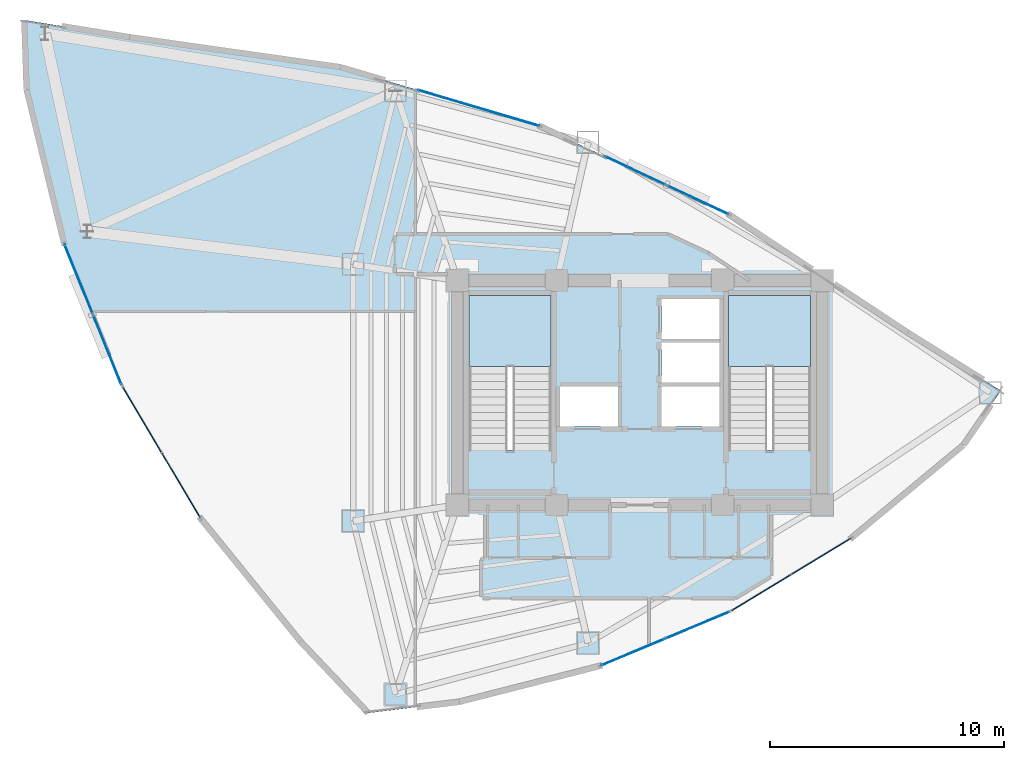
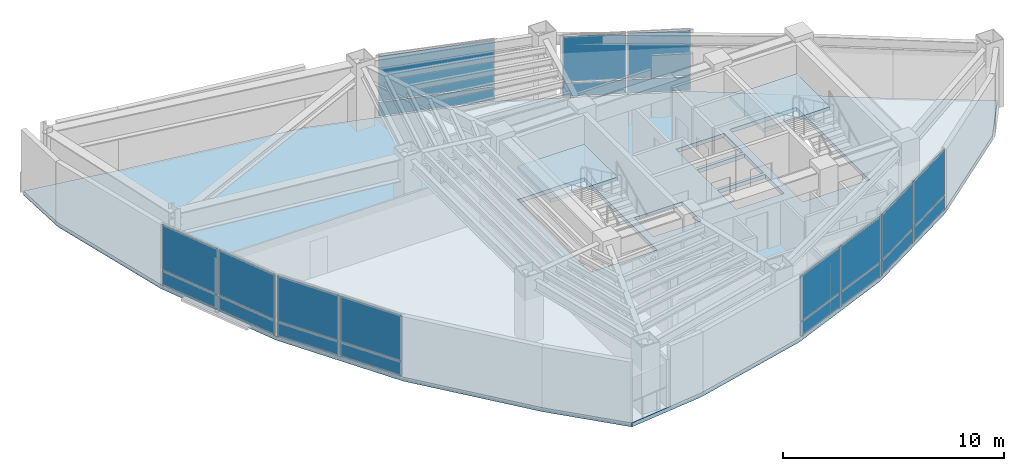
# One storey, part 11 of 16: 22 plates, 3 slabs, 8 elements without a shape of their own.
"""IFC4 building model written with IfcOpenShell, lengths in metres."""

from ifc_helpers import new_model, si_unit, direction, frame, origin, origin_2d, place, context, subcontext, project, spatial, polyline, rectangle, outline, extrude, material, layer, layer_set, type_object, element, aggregate, save


model = new_model("IFC4")

# Units and contexts
model_context = context("Model", 3, precision=1e-05, world=origin(), true_north=direction((0.0, 1.0)))
body_context = subcontext(model_context, "Body", "Model", "MODEL_VIEW")
ifc_project = project(units=[si_unit("LENGTHUNIT", "METRE"), si_unit("AREAUNIT", "SQUARE_METRE"), si_unit("VOLUMEUNIT", "CUBIC_METRE"), si_unit("PLANEANGLEUNIT", "RADIAN"), si_unit("MASSUNIT", "GRAM", prefix="KILO")], contexts=[model_context])

# Site, building, storey
site_placement = place(None, origin())
site = spatial("IfcSite", under=ifc_project, at=site_placement, CompositionType="ELEMENT")
building_placement = place(site_placement, origin())
building = spatial("IfcBuilding", under=site, at=building_placement, Name="Menara Vayukalpa", CompositionType="ELEMENT")
storey_placement = place(building_placement, frame((0.0, 0.0, 202.679931640625)))
storey = spatial("IfcBuildingStorey", under=building, at=storey_placement, Name="L51", CompositionType="ELEMENT", Elevation=202.679931640625)

# Curtain wall, plates
ifc_material_1 = material(Name="Anodised Terracotta Aluminium Alloy 6063-T6", Category="masonry")
ifc_layer_1 = layer(ifc_material_1, 0.179931640625)
ifc_layer_set_1 = layer_set([ifc_layer_1], Name="Anodised Terracotta Aluminium Alloy 6063-T6")
curtain_wall_type = type_object("IfcCurtainWallType", Name="CW-CW4", PredefinedType="USERDEFINED", material=ifc_layer_set_1)
curtain_wall_1_placement = place(storey_placement, origin())
curtain_wall_1 = element("IfcCurtainWall", 1, at=curtain_wall_1_placement, inside=storey, type_object=curtain_wall_type, Name="L51 Sky Bar Cantilever Glazed Curtain Wall CW4 05", ObjectType="UNITISED", PredefinedType="USERDEFINED")
ifc_material_2 = material(Name="Low-E Double Glazing", Category="glass")
ifc_layer_2 = layer(ifc_material_2, 0.0380859375)
ifc_layer_set_2 = layer_set([ifc_layer_2], Name="Low-E Double Glazing")
plate_type = type_object("IfcPlateType", Name="CWP-CW4", PredefinedType="CURTAIN_PANEL", material=ifc_layer_set_2)
plate_1_placement = place(storey_placement, frame((28.0751953125, 30.24462890625, 0.070068359375), z_axis=(0.0, 0.0, 1.0), x_axis=(-0.90578213551, 0.423743699648, 0.0)))
plate_1 = element("IfcPlate", 2, at=plate_1_placement, type_object=plate_type, Name="CW4 panel 1.1", PredefinedType="CURTAIN_PANEL", context=body_context, shape_type="SweptSolid", body=[
    extrude(rectangle(XDim=2.868896484375, YDim=0.0380859375, at=origin_2d()), origin(), (0.0, 0.0, 1.0), 0.7451171875),
])
plate_2_placement = place(storey_placement, frame((28.0751953125, 30.24462890625, 0.88525390625), z_axis=(0.0, 0.0, 1.0), x_axis=(-0.90578213551, 0.423743699648, 0.0)))
plate_2 = element("IfcPlate", 3, at=plate_2_placement, type_object=plate_type, Name="CW4 panel 1.2", PredefinedType="CURTAIN_PANEL", context=body_context, shape_type="SweptSolid", body=[
    extrude(rectangle(XDim=2.868896484375, YDim=0.0380859375, at=origin_2d()), origin(), (0.0, 0.0, 1.0), 2.485107421875),
])
plate_3_placement = place(storey_placement, frame((25.40869140625, 31.4921875, 0.070068359375), z_axis=(0.0, 0.0, 1.0), x_axis=(-0.90578213551, 0.423743699648, 0.0)))
plate_3 = element("IfcPlate", 4, at=plate_3_placement, type_object=plate_type, Name="CW4 panel 2.1", PredefinedType="CURTAIN_PANEL", context=body_context, shape_type="SweptSolid", body=[
    extrude(rectangle(XDim=2.868896484375, YDim=0.0380859375, at=origin_2d()), origin(), (0.0, 0.0, 1.0), 0.7451171875),
])
plate_4_placement = place(storey_placement, frame((25.40869140625, 31.4921875, 0.88525390625), z_axis=(0.0, 0.0, 1.0), x_axis=(-0.90578213551, 0.423743699648, 0.0)))
plate_4 = element("IfcPlate", 5, at=plate_4_placement, type_object=plate_type, Name="CW4 panel 2.2", PredefinedType="CURTAIN_PANEL", context=body_context, shape_type="SweptSolid", body=[
    extrude(rectangle(XDim=2.868896484375, YDim=0.0380859375, at=origin_2d()), origin(), (0.0, 0.0, 1.0), 2.485107421875),
])
aggregate(curtain_wall_1, [plate_1, plate_2, plate_3, plate_4])

curtain_wall_2_placement = place(storey_placement, origin())
curtain_wall_2 = element("IfcCurtainWall", 6, at=curtain_wall_2_placement, inside=storey, type_object=curtain_wall_type, Name="L51 Sky Bar Cantilever Glazed Curtain Wall CW4 07", ObjectType="UNITISED", PredefinedType="USERDEFINED")
plate_5_placement = place(storey_placement, frame((18.702880859375, 34.17236328125, 0.070068359375), z_axis=(0.0, 0.0, 1.0), x_axis=(-0.958855725645, 0.283893813595, 0.0)))
plate_5 = element("IfcPlate", 7, at=plate_5_placement, type_object=plate_type, Name="CW4 panel 1.1", PredefinedType="CURTAIN_PANEL", context=body_context, shape_type="SweptSolid", body=[
    extrude(rectangle(XDim=5.39892578125, YDim=0.0380859375, at=origin_2d()), origin(), (0.0, 0.0, 1.0), 0.7451171875),
])
plate_6_placement = place(storey_placement, frame((18.702880859375, 34.17236328125, 0.88525390625), z_axis=(0.0, 0.0, 1.0), x_axis=(-0.958855725645, 0.283893813595, 0.0)))
plate_6 = element("IfcPlate", 8, at=plate_6_placement, type_object=plate_type, Name="CW4 panel 1.2", PredefinedType="CURTAIN_PANEL", context=body_context, shape_type="SweptSolid", body=[
    extrude(rectangle(XDim=5.39892578125, YDim=0.0380859375, at=origin_2d()), origin(), (0.0, 0.0, 1.0), 2.485107421875),
])
aggregate(curtain_wall_2, [plate_5, plate_6])

curtain_wall_3_placement = place(storey_placement, origin())
curtain_wall_3 = element("IfcCurtainWall", 9, at=curtain_wall_3_placement, inside=storey, type_object=curtain_wall_type, Name="L51 Sky Bar Cantilever Glazed Curtain Wall CW4 13", ObjectType="UNITISED", PredefinedType="USERDEFINED")
plate_7_placement = place(storey_placement, frame((1.60888671875, 26.853271484375, 0.070068359375), z_axis=(0.0, 0.0, 1.0), x_axis=(0.376092351793, -0.926582183577, 0.0)))
plate_7 = element("IfcPlate", 10, at=plate_7_placement, type_object=plate_type, Name="CW4 panel 1.1", PredefinedType="CURTAIN_PANEL", context=body_context, shape_type="SweptSolid", body=[
    extrude(rectangle(XDim=3.18994140625, YDim=0.0380859375, at=origin_2d()), origin(), (0.0, 0.0, 1.0), 0.7451171875),
])
plate_8_placement = place(storey_placement, frame((1.60888671875, 26.853271484375, 0.88525390625), z_axis=(0.0, 0.0, 1.0), x_axis=(0.376092351793, -0.926582183577, 0.0)))
plate_8 = element("IfcPlate", 11, at=plate_8_placement, type_object=plate_type, Name="CW4 panel 1.2", PredefinedType="CURTAIN_PANEL", context=body_context, shape_type="SweptSolid", body=[
    extrude(rectangle(XDim=3.18994140625, YDim=0.0380859375, at=origin_2d()), origin(), (0.0, 0.0, 1.0), 2.485107421875),
])
plate_9_placement = place(storey_placement, frame((2.8369140625, 23.827880859375, 0.070068359375), z_axis=(0.0, 0.0, 1.0), x_axis=(0.376092351793, -0.926582183577, 0.0)))
plate_9 = element("IfcPlate", 12, at=plate_9_placement, type_object=plate_type, Name="CW4 panel 2.1", PredefinedType="CURTAIN_PANEL", context=body_context, shape_type="SweptSolid", body=[
    extrude(rectangle(XDim=3.18994140625, YDim=0.0380859375, at=origin_2d()), origin(), (0.0, 0.0, 1.0), 0.7451171875),
])
plate_10_placement = place(storey_placement, frame((2.8369140625, 23.827880859375, 0.88525390625), z_axis=(0.0, 0.0, 1.0), x_axis=(0.376092351793, -0.926582183577, 0.0)))
plate_10 = element("IfcPlate", 13, at=plate_10_placement, type_object=plate_type, Name="CW4 panel 2.2", PredefinedType="CURTAIN_PANEL", context=body_context, shape_type="SweptSolid", body=[
    extrude(rectangle(XDim=3.18994140625, YDim=0.0380859375, at=origin_2d()), origin(), (0.0, 0.0, 1.0), 2.485107421875),
])
aggregate(curtain_wall_3, [plate_7, plate_8, plate_9, plate_10])

curtain_wall_4_placement = place(storey_placement, origin())
curtain_wall_4 = element("IfcCurtainWall", 14, at=curtain_wall_4_placement, inside=storey, type_object=curtain_wall_type, Name="L51 Sky Bar Cantilever Glazed Curtain Wall CW4 14", ObjectType="UNITISED", PredefinedType="USERDEFINED")
plate_11_placement = place(storey_placement, frame((4.31689453125, 20.84423828125, 0.070068359375), z_axis=(0.0, 0.0, 1.0), x_axis=(0.510091625634, -0.86012006921, 0.0)))
plate_11 = element("IfcPlate", 15, at=plate_11_placement, type_object=plate_type, Name="CW4 panel 1.1", PredefinedType="CURTAIN_PANEL", context=body_context, shape_type="SweptSolid", body=[
    extrude(rectangle(XDim=3.18994140625, YDim=0.0380859375, at=origin_2d()), origin(), (0.0, 0.0, 1.0), 0.7451171875),
])
plate_12_placement = place(storey_placement, frame((4.31689453125, 20.84423828125, 0.88525390625), z_axis=(0.0, 0.0, 1.0), x_axis=(0.510091625634, -0.86012006921, 0.0)))
plate_12 = element("IfcPlate", 16, at=plate_12_placement, type_object=plate_type, Name="CW4 panel 1.2", PredefinedType="CURTAIN_PANEL", context=body_context, shape_type="SweptSolid", body=[
    extrude(rectangle(XDim=3.18994140625, YDim=0.0380859375, at=origin_2d()), origin(), (0.0, 0.0, 1.0), 2.485107421875),
])
plate_13_placement = place(storey_placement, frame((5.982177734375, 18.035888671875, 0.070068359375), z_axis=(0.0, 0.0, 1.0), x_axis=(0.510091625634, -0.86012006921, 0.0)))
plate_13 = element("IfcPlate", 17, at=plate_13_placement, type_object=plate_type, Name="CW4 panel 2.1", PredefinedType="CURTAIN_PANEL", context=body_context, shape_type="SweptSolid", body=[
    extrude(rectangle(XDim=3.18994140625, YDim=0.0380859375, at=origin_2d()), origin(), (0.0, 0.0, 1.0), 0.7451171875),
])
plate_14_placement = place(storey_placement, frame((5.982177734375, 18.035888671875, 0.88525390625), z_axis=(0.0, 0.0, 1.0), x_axis=(0.510091625634, -0.86012006921, 0.0)))
plate_14 = element("IfcPlate", 18, at=plate_14_placement, type_object=plate_type, Name="CW4 panel 2.2", PredefinedType="CURTAIN_PANEL", context=body_context, shape_type="SweptSolid", body=[
    extrude(rectangle(XDim=3.18994140625, YDim=0.0380859375, at=origin_2d()), origin(), (0.0, 0.0, 1.0), 2.485107421875),
])
aggregate(curtain_wall_4, [plate_11, plate_12, plate_13, plate_14])

curtain_wall_5_placement = place(storey_placement, origin())
curtain_wall_5 = element("IfcCurtainWall", 19, at=curtain_wall_5_placement, inside=storey, type_object=curtain_wall_type, Name="L51 Sky Bar Cantilever Glazed Curtain Wall CW4 19", ObjectType="UNITISED", PredefinedType="USERDEFINED")
plate_15_placement = place(storey_placement, frame((25.3046875, 10.90380859375, 0.070068359375), z_axis=(0.0, 0.0, 1.0), x_axis=(0.922539431351, 0.385902834406, 0.0)))
plate_15 = element("IfcPlate", 20, at=plate_15_placement, type_object=plate_type, Name="CW4 panel 1.1", PredefinedType="CURTAIN_PANEL", context=body_context, shape_type="SweptSolid", body=[
    extrude(rectangle(XDim=2.919921875, YDim=0.0380859375, at=origin_2d()), origin(), (0.0, 0.0, 1.0), 0.7451171875),
])
plate_16_placement = place(storey_placement, frame((25.3046875, 10.90380859375, 0.88525390625), z_axis=(0.0, 0.0, 1.0), x_axis=(0.922539431351, 0.385902834406, 0.0)))
plate_16 = element("IfcPlate", 21, at=plate_16_placement, type_object=plate_type, Name="CW4 panel 1.2", PredefinedType="CURTAIN_PANEL", context=body_context, shape_type="SweptSolid", body=[
    extrude(rectangle(XDim=2.919921875, YDim=0.0380859375, at=origin_2d()), origin(), (0.0, 0.0, 1.0), 2.485107421875),
])
plate_17_placement = place(storey_placement, frame((28.067626953125, 12.0595703125, 0.070068359375), z_axis=(0.0, 0.0, 1.0), x_axis=(0.922539431351, 0.385902834406, 0.0)))
plate_17 = element("IfcPlate", 22, at=plate_17_placement, type_object=plate_type, Name="CW4 panel 2.1", PredefinedType="CURTAIN_PANEL", context=body_context, shape_type="SweptSolid", body=[
    extrude(rectangle(XDim=2.919921875, YDim=0.0380859375, at=origin_2d()), origin(), (0.0, 0.0, 1.0), 0.7451171875),
])
plate_18_placement = place(storey_placement, frame((28.067626953125, 12.0595703125, 0.88525390625), z_axis=(0.0, 0.0, 1.0), x_axis=(0.922539431351, 0.385902834406, 0.0)))
plate_18 = element("IfcPlate", 23, at=plate_18_placement, type_object=plate_type, Name="CW4 panel 2.2", PredefinedType="CURTAIN_PANEL", context=body_context, shape_type="SweptSolid", body=[
    extrude(rectangle(XDim=2.919921875, YDim=0.0380859375, at=origin_2d()), origin(), (0.0, 0.0, 1.0), 2.485107421875),
])
aggregate(curtain_wall_5, [plate_15, plate_16, plate_17, plate_18])

curtain_wall_6_placement = place(storey_placement, origin())
curtain_wall_6 = element("IfcCurtainWall", 24, at=curtain_wall_6_placement, inside=storey, type_object=curtain_wall_type, Name="L51 Sky Bar Cantilever Glazed Curtain Wall CW4 20", ObjectType="UNITISED", PredefinedType="USERDEFINED")
plate_19_placement = place(storey_placement, frame((30.795654296875, 13.44873046875, 0.070068359375), z_axis=(0.0, 0.0, 1.0), x_axis=(0.854664974832, 0.519179911779, 0.0)))
plate_19 = element("IfcPlate", 25, at=plate_19_placement, type_object=plate_type, Name="CW4 panel 1.1", PredefinedType="CURTAIN_PANEL", context=body_context, shape_type="SweptSolid", body=[
    extrude(rectangle(XDim=2.919921875, YDim=0.0380859375, at=origin_2d()), origin(), (0.0, 0.0, 1.0), 0.7451171875),
])
plate_20_placement = place(storey_placement, frame((30.795654296875, 13.44873046875, 0.88525390625), z_axis=(0.0, 0.0, 1.0), x_axis=(0.854664974832, 0.519179911779, 0.0)))
plate_20 = element("IfcPlate", 26, at=plate_20_placement, type_object=plate_type, Name="CW4 panel 1.2", PredefinedType="CURTAIN_PANEL", context=body_context, shape_type="SweptSolid", body=[
    extrude(rectangle(XDim=2.919921875, YDim=0.0380859375, at=origin_2d()), origin(), (0.0, 0.0, 1.0), 2.485107421875),
])
plate_21_placement = place(storey_placement, frame((33.35546875, 15.003662109375, 0.070068359375), z_axis=(0.0, 0.0, 1.0), x_axis=(0.854664974832, 0.519179911779, 0.0)))
plate_21 = element("IfcPlate", 27, at=plate_21_placement, type_object=plate_type, Name="CW4 panel 2.1", PredefinedType="CURTAIN_PANEL", context=body_context, shape_type="SweptSolid", body=[
    extrude(rectangle(XDim=2.919921875, YDim=0.0380859375, at=origin_2d()), origin(), (0.0, 0.0, 1.0), 0.7451171875),
])
plate_22_placement = place(storey_placement, frame((33.35546875, 15.003662109375, 0.88525390625), z_axis=(0.0, 0.0, 1.0), x_axis=(0.854664974832, 0.519179911779, 0.0)))
plate_22 = element("IfcPlate", 28, at=plate_22_placement, type_object=plate_type, Name="CW4 panel 2.2", PredefinedType="CURTAIN_PANEL", context=body_context, shape_type="SweptSolid", body=[
    extrude(rectangle(XDim=2.919921875, YDim=0.0380859375, at=origin_2d()), origin(), (0.0, 0.0, 1.0), 2.485107421875),
])
aggregate(curtain_wall_6, [plate_19, plate_20, plate_21, plate_22])

# Slab
ifc_material_3 = material(Name="Concrete C40/50", Category="concrete")
ifc_layer_3 = layer(ifc_material_3, 0.219970703125)
ifc_layer_set_3 = layer_set([ifc_layer_3], Name="Concrete C40/50")
slab_type_1 = type_object("IfcSlabType", Name="SLB-FL220", PredefinedType="FLOOR", material=ifc_layer_set_3)
slab_1_placement = place(storey_placement, frame((0.0, 0.0, -0.219970703125)))
element("IfcSlab", 29, at=slab_1_placement, inside=storey, type_object=slab_type_1, Name="L51 Sky Bar Structural Floor Slab", PredefinedType="FLOOR", context=body_context, shape_type="SweptSolid", body=[
    extrude(outline(polyline([(39.439208984375, 19.7578125), (41.042724609375, 22.083984375), (37.04833984375, 24.578125), (29.4423828125, 29.60498046875), (21.36328125, 33.384765625), (12.810546875, 35.9169921875), (3.784423828125, 37.201904296875), (-0.712890625, 37.930419921875), (-0.6181640625, 34.959716796875), (0.98095703125, 28.400634765625), (3.465087890625, 22.280517578125), (6.833984375, 16.599609375), (11.08837890625, 11.357421875), (13.982177734375, 8.302978515625), (17.881591796875, 8.779296875), (23.888671875, 10.311279296875), (29.48388671875, 12.65185546875), (34.667236328125, 15.80078125), (39.439208984375, 19.7578125)]), holes=[polyline([(21.800048828125, 19.550048828125), (21.800048828125, 26.14990234375), (18.300048828125, 26.14990234375), (18.300048828125, 19.550048828125), (21.800048828125, 19.550048828125)]), polyline([(32.89990234375, 19.550048828125), (32.89990234375, 26.14990234375), (29.39990234375, 26.14990234375), (29.39990234375, 19.550048828125), (32.89990234375, 19.550048828125)]), polyline([(22.179931640625, 20.550048828125), (24.679931640625, 20.550048828125), (24.679931640625, 22.27001953125), (22.179931640625, 22.27001953125), (22.179931640625, 20.550048828125)]), polyline([(26.52001953125, 20.550048828125), (29.02001953125, 20.550048828125), (29.02001953125, 22.27001953125), (26.52001953125, 22.27001953125), (26.52001953125, 20.550048828125)]), polyline([(26.52001953125, 24.2900390625), (29.02001953125, 24.2900390625), (29.02001953125, 26.010009765625), (26.52001953125, 26.010009765625), (26.52001953125, 24.2900390625)]), polyline([(26.52001953125, 22.419921875), (29.02001953125, 22.419921875), (29.02001953125, 24.139892578125), (26.52001953125, 24.139892578125), (26.52001953125, 22.419921875)])]), origin(), (0.0, 0.0, 1.0), 0.219970703125),
])

# Stair, slab
ifc_material_4 = material(Name="Precast Concrete C40/50", Category="concrete")
stair_type = type_object("IfcStairType", Name="STR-T04", PredefinedType="DOUBLE_RETURN_STAIR", material=ifc_material_4)
stair_1_placement = place(storey_placement, origin())
stair_1 = element("IfcStair", 30, at=stair_1_placement, inside=storey, type_object=stair_type, Name="L51 Core Exit Stair ST-1", PredefinedType="DOUBLE_RETURN_STAIR")
ifc_material_5 = material(Name="Precast Concrete C40/50", Category="concrete")
ifc_layer_4 = layer(ifc_material_5, 0.199951171875)
ifc_layer_set_4 = layer_set([ifc_layer_4], Name="Precast Concrete C40/50")
slab_type_2 = type_object("IfcSlabType", Name="SLB-LND200", PredefinedType="LANDING", material=ifc_layer_set_4)
slab_2_placement = place(storey_placement, frame((0.0, 0.0, 1.66015625)))
slab_2 = element("IfcSlab", 31, at=slab_2_placement, type_object=slab_type_2, Name="ST-1 landing 1", PredefinedType="LANDING", context=body_context, shape_type="SweptSolid", body=[
    extrude(outline(polyline([(21.800048828125, 23.1298828125), (21.800048828125, 26.14990234375), (18.300048828125, 26.14990234375), (18.300048828125, 23.1298828125), (21.800048828125, 23.1298828125)])), origin(), (0.0, 0.0, 1.0), 0.199951171875),
])
aggregate(stair_1, [slab_2])

stair_2_placement = place(storey_placement, origin())
stair_2 = element("IfcStair", 32, at=stair_2_placement, inside=storey, type_object=stair_type, Name="L51 Core Exit Stair ST-2", PredefinedType="DOUBLE_RETURN_STAIR")
slab_3_placement = place(storey_placement, frame((0.0, 0.0, 1.66015625)))
slab_3 = element("IfcSlab", 33, at=slab_3_placement, type_object=slab_type_2, Name="ST-2 landing 1", PredefinedType="LANDING", context=body_context, shape_type="SweptSolid", body=[
    extrude(outline(polyline([(32.89990234375, 23.1298828125), (32.89990234375, 26.14990234375), (29.39990234375, 26.14990234375), (29.39990234375, 23.1298828125), (32.89990234375, 23.1298828125)])), origin(), (0.0, 0.0, 1.0), 0.199951171875),
])
aggregate(stair_2, [slab_3])

save(model, "model.ifc")
